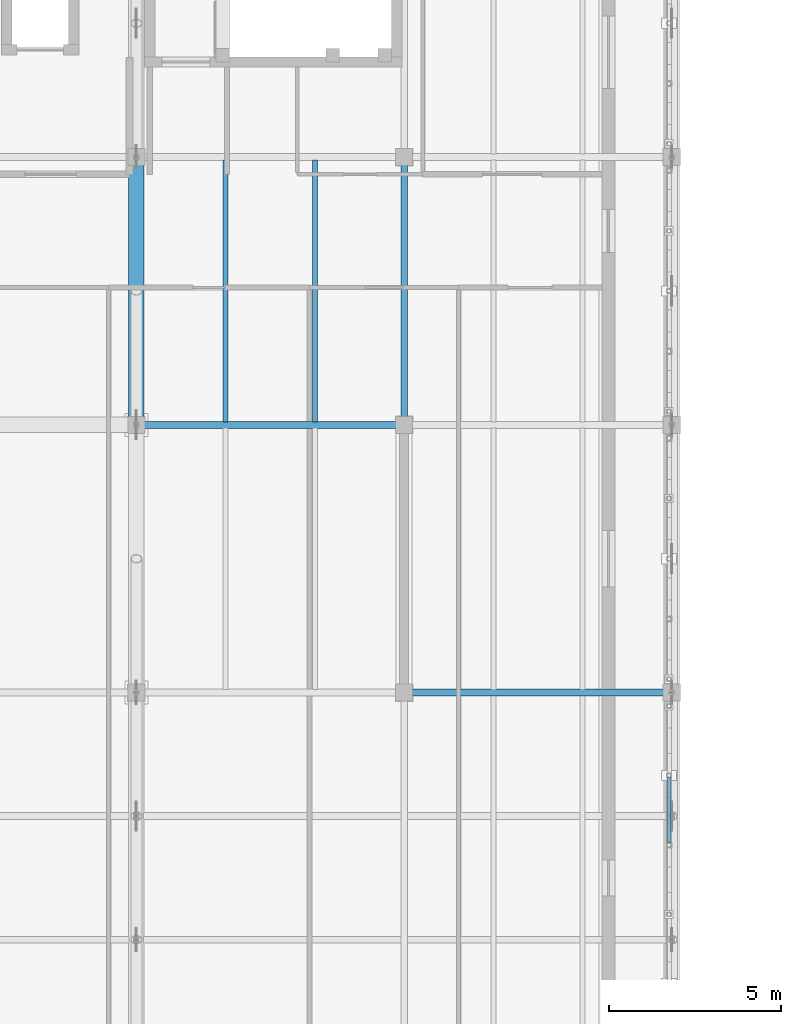
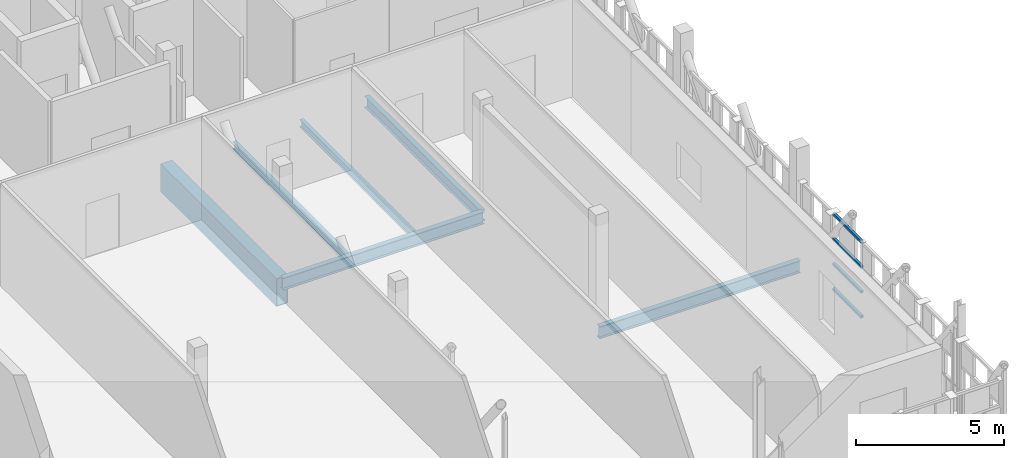
# One storey, part 29 of 89: 6 beams, 4 members.
"""IFC4 building model written with IfcOpenShell, lengths in metres."""

from ifc_helpers import new_model, si_unit, direction, frame, origin, origin_2d, place, context, subcontext, project, spatial, hollow_rectangle, i_section, extrude, material, material_profile, profile_set, type_object, element, save


model = new_model("IFC4")

# Units and contexts
model_context = context("Model", 3, precision=1e-05, world=origin(), true_north=direction((0.0, 1.0)))
body_context = subcontext(model_context, "Body", "Model", "MODEL_VIEW")
ifc_project = project(units=[si_unit("LENGTHUNIT", "METRE"), si_unit("AREAUNIT", "SQUARE_METRE"), si_unit("VOLUMEUNIT", "CUBIC_METRE"), si_unit("PLANEANGLEUNIT", "RADIAN"), si_unit("MASSUNIT", "GRAM", prefix="KILO")], contexts=[model_context])

# Site, building, storey
site_placement = place(None, origin())
site = spatial("IfcSite", under=ifc_project, at=site_placement, CompositionType="ELEMENT")
building_placement = place(site_placement, origin())
building = spatial("IfcBuilding", under=site, at=building_placement, Name="Celorna Specialist Clinic", CompositionType="ELEMENT")
storey_placement = place(building_placement, frame((0.0, 0.0, 14.10009765625)))
storey = spatial("IfcBuildingStorey", under=building, at=storey_placement, Name="L03", CompositionType="ELEMENT", Elevation=14.10009765625)

# Beams
ifc_material = material(Name="Steel S355", Category="steel")
ifc_material_profile_1 = material_profile(ifc_material, hollow_rectangle(XDim=0.449951171875, YDim=1.14990234375, WallThickness=0.031982421875, at=origin_2d()), Name="BOX 450x1150x32")
ifc_profile_set_1 = profile_set([ifc_material_profile_1], Name="Steel S355")
beam_type_1 = type_object("IfcBeamType", Name="BM-01", PredefinedType="BEAM", material=ifc_profile_set_1)
beam_1_placement = place(storey_placement, frame((70.199951171875, 27.300048828125, -0.835205078125), z_axis=(0.0, 1.0, 0.0), x_axis=(-1.0, 0.0, 0.0)))
element("IfcBeam", 1, at=beam_1_placement, inside=storey, type_object=beam_type_1, Name="Cantilever Pratt truss chord WP-041-WP-042", PredefinedType="BEAM", context=body_context, shape_type="SweptSolid", body=[
    extrude(hollow_rectangle(XDim=0.449951171875, YDim=1.14990234375, WallThickness=0.031982421875, at=origin_2d()), origin(), (0.0, 0.0, 1.0), 7.800048828125),
])
ifc_material_profile_2 = material_profile(ifc_material, i_section(OverallWidth=0.199951171875, OverallDepth=0.5, WebThickness=0.01025390625, FlangeThickness=0.01611328125, at=origin_2d()), Name="IPE 500")
ifc_profile_set_2 = profile_set([ifc_material_profile_2], Name="Steel S355")
beam_type_2 = type_object("IfcBeamType", Name="BM-08", PredefinedType="BEAM", material=ifc_profile_set_2)
for number, where, z_axis, x_axis, name in (
    (2, (78.0, 19.5, -0.510009765625), (1.0, 0.0, 0.0), (0.0, 1.0, 0.0), "Primary girder BM-08 #2163"),
    (3, (70.199951171875, 27.300048828125, -0.510009765625), (1.0, 0.0, 0.0), (0.0, 1.0, 0.0), "Primary girder BM-08 #2164"),
):
    element("IfcBeam", number, at=place(storey_placement, frame(where, z_axis=z_axis, x_axis=x_axis)), inside=storey, type_object=beam_type_2, Name=name, PredefinedType="BEAM", context=body_context, shape_type="SweptSolid", body=[
        extrude(i_section(OverallWidth=0.199951171875, OverallDepth=0.5, WebThickness=0.01025390625, FlangeThickness=0.01611328125, at=origin_2d()), origin(), (0.0, 0.0, 1.0), 7.800048828125),
    ])
ifc_material_profile_3 = material_profile(ifc_material, i_section(OverallWidth=0.18994140625, OverallDepth=0.449951171875, WebThickness=0.009521484375, FlangeThickness=0.0146484375, at=origin_2d()), Name="IPE 450")
ifc_profile_set_3 = profile_set([ifc_material_profile_3], Name="Steel S355")
beam_type_3 = type_object("IfcBeamType", Name="BM-09", PredefinedType="BEAM", material=ifc_profile_set_3)
beam_2_placement = place(storey_placement, frame((78.0, 27.300048828125, -0.485107421875), z_axis=(0.0, 1.0, 0.0), x_axis=(-1.0, 0.0, 0.0)))
element("IfcBeam", 4, at=beam_2_placement, inside=storey, type_object=beam_type_3, Name="Transverse girder BM-09 #2178", PredefinedType="BEAM", context=body_context, shape_type="SweptSolid", body=[
    extrude(i_section(OverallWidth=0.18994140625, OverallDepth=0.449951171875, WebThickness=0.009521484375, FlangeThickness=0.0146484375, at=origin_2d()), origin(), (0.0, 0.0, 1.0), 7.800048828125),
])
ifc_material_profile_4 = material_profile(ifc_material, i_section(OverallWidth=0.14990234375, OverallDepth=0.300048828125, WebThickness=0.007080078125, FlangeThickness=0.0107421875, at=origin_2d()), Name="IPE 300")
ifc_profile_set_4 = profile_set([ifc_material_profile_4], Name="Steel S355")
beam_type_4 = type_object("IfcBeamType", Name="BM-13", PredefinedType="JOIST", material=ifc_profile_set_4)
for number, where, z_axis, x_axis, name in (
    (5, (72.800048828125, 27.387939453125, -0.41015625), (0.0, 1.0, 0.0), (-1.0, 0.0, 0.0), "Secondary floor joist BM-13 #2188"),
    (6, (75.39990234375, 27.387939453125, -0.41015625), (0.0, 1.0, 0.0), (-1.0, 0.0, 0.0), "Secondary floor joist BM-13 #2189"),
):
    element("IfcBeam", number, at=place(storey_placement, frame(where, z_axis=z_axis, x_axis=x_axis)), inside=storey, type_object=beam_type_4, Name=name, PredefinedType="JOIST", context=body_context, shape_type="SweptSolid", body=[
        extrude(i_section(OverallWidth=0.14990234375, OverallDepth=0.300048828125, WebThickness=0.007080078125, FlangeThickness=0.0107421875, at=origin_2d()), origin(), (0.0, 0.0, 1.0), 7.6240234375),
    ])

# Members
ifc_material_profile_5 = material_profile(ifc_material, hollow_rectangle(XDim=0.10009765625, YDim=0.10009765625, WallThickness=0.006103515625, at=origin_2d()), Name="SHS 100x100x6")
ifc_profile_set_5 = profile_set([ifc_material_profile_5], Name="Steel S355")
member_type = type_object("IfcMemberType", Name="MB-12", PredefinedType="STUD", material=ifc_profile_set_5)
for number, where, z_axis, x_axis, name in (
    (7, (85.719970703125, 15.1220703125, 0.0498046875), (0.0, 1.0, 0.0), (-1.0, 0.0, 0.0), "Perforated screen rail #468"),
    (8, (85.719970703125, 15.1220703125, 1.07666015625), (0.0, 1.0, 0.0), (-1.0, 0.0, 0.0), "Perforated screen rail #469"),
    (9, (85.719970703125, 15.1220703125, 2.103271484375), (0.0, 1.0, 0.0), (-1.0, 0.0, 0.0), "Perforated screen rail #470"),
    (10, (85.719970703125, 15.1220703125, 3.1298828125), (0.0, 1.0, 0.0), (-1.0, 0.0, 0.0), "Perforated screen rail #471"),
):
    element("IfcMember", number, at=place(storey_placement, frame(where, z_axis=z_axis, x_axis=x_axis)), inside=storey, type_object=member_type, Name=name, PredefinedType="STUD", context=body_context, shape_type="SweptSolid", body=[
        extrude(hollow_rectangle(XDim=0.10009765625, YDim=0.10009765625, WallThickness=0.006103515625, at=origin_2d()), origin(), (0.0, 0.0, 1.0), 1.90380859375),
    ])

save(model, "model.ifc")
